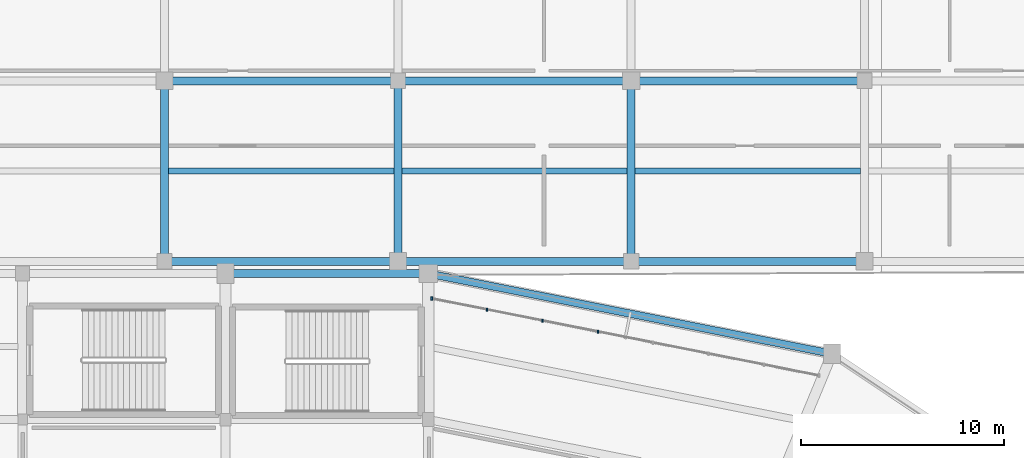
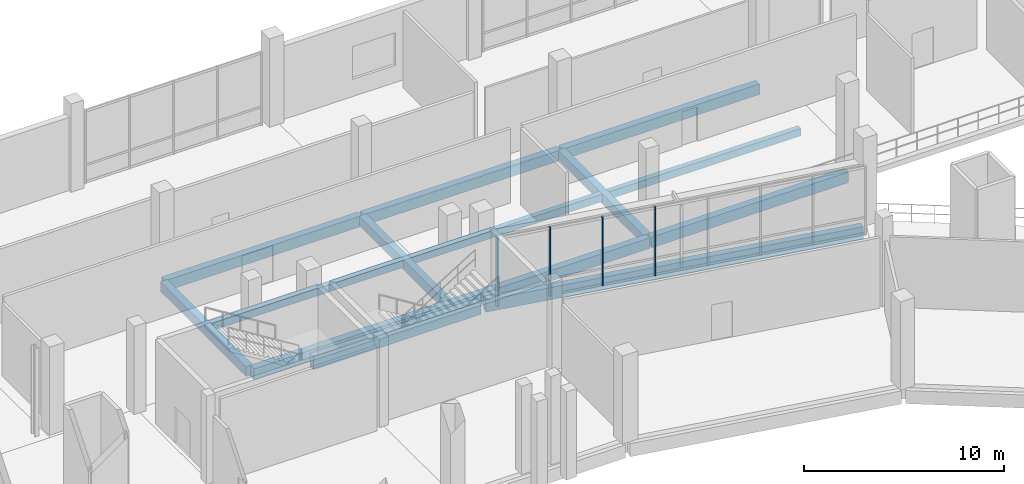
# One storey, part 56 of 114: 14 beams, 4 members, 1 element without a shape of its own.
"""IFC4 building model written with IfcOpenShell, lengths in metres."""

import ifcopenshell
import ifcopenshell.guid

model = None  # the IFC model being written
_history = None  # IfcOwnerHistory: only IFC2X3 demands one
_inside = {}  # id of a spatial element -> (the spatial element, [elements in it])
_under = {}  # id of a project, library or spatial element -> (it, [spatial elements below it])
_declared = {}  # id of a project -> (the project, [libraries it declares])
_typed = {}  # id of a type object -> (the type object, [elements of that type])
_made_of = {}  # id of a material, layer set ... -> (it, [elements and type objects made of it])


def new_model(schema):
    """Start an empty IFC model of exactly this schema.

    Asked for "IFC4X3", IfcOpenShell would pick the latest addendum, in which some entities
    have other attributes; the version numbers below select the first issue.
    IFC2X3 requires an IfcOwnerHistory on every rooted entity: one is made here for all.
    """
    global model, _history
    if schema == "IFC4X3":
        model = ifcopenshell.file(schema_version=(4, 3, 0, 0))
    else:
        model = ifcopenshell.file(schema=schema)
    _inside.clear()
    _under.clear()
    _declared.clear()
    _typed.clear()
    _made_of.clear()
    _history = None
    if model.schema == "IFC2X3":
        org = make("IfcOrganization", Name="unknown")
        user = make(
            "IfcPersonAndOrganization",
            ThePerson=make("IfcPerson", FamilyName="unknown"),
            TheOrganization=org,
        )
        app = make(
            "IfcApplication",
            ApplicationDeveloper=org,
            Version="unknown",
            ApplicationFullName="unknown",
            ApplicationIdentifier="unknown",
        )
        _history = make(
            "IfcOwnerHistory",
            OwningUser=user,
            OwningApplication=app,
            ChangeAction="ADDED",
            CreationDate=0,
        )
    return model


def make(cls, **values):
    """One entity of the class cls with the attributes given. An attribute that is None is left unset."""
    return model.create_entity(
        cls, **{name: value for name, value in values.items() if value is not None}
    )


def rooted(cls, **values):
    """An entity with a GlobalId (a new one), such as an element, a storey or a relation."""
    return make(cls, GlobalId=ifcopenshell.guid.new(), OwnerHistory=_history, **values)


def si_unit(unit_type, name, prefix=None):
    """IfcSIUnit, for example si_unit("LENGTHUNIT", "METRE", prefix="MILLI")."""
    return make("IfcSIUnit", UnitType=unit_type, Prefix=prefix, Name=name)


def assignment(units):
    """IfcUnitAssignment: the units of a project."""
    return None if units is None else make("IfcUnitAssignment", Units=units)


def point(xyz):
    """IfcCartesianPoint."""
    return None if xyz is None else make("IfcCartesianPoint", Coordinates=xyz)


def direction(xyz):
    """IfcDirection."""
    return None if xyz is None else make("IfcDirection", DirectionRatios=xyz)


def frame(location, z_axis=None, x_axis=None):
    """IfcAxis2Placement3D, a coordinate frame: its origin and axes. An axis left out is left unset."""
    return make(
        "IfcAxis2Placement3D",
        Location=point(location),
        Axis=direction(z_axis),
        RefDirection=direction(x_axis),
    )


def frame_2d(location, x_axis=None):
    """IfcAxis2Placement2D, a coordinate frame in the plane: its origin and x axis."""
    return make(
        "IfcAxis2Placement2D", Location=point(location), RefDirection=direction(x_axis)
    )


def origin():
    """The frame at (0, 0, 0) with its axes left unset."""
    return frame((0.0, 0.0, 0.0))


def origin_2d():
    """The frame at (0, 0) in the plane with its x axis left unset."""
    return frame_2d((0.0, 0.0))


def place(relative_to, where):
    """IfcLocalPlacement: puts the frame where relative to a parent placement (None: the world)."""
    return make(
        "IfcLocalPlacement", PlacementRelTo=relative_to, RelativePlacement=where
    )


def context(
    kind, dimensions, precision=None, world=None, true_north=None, identifier=None
):
    """IfcGeometricRepresentationContext, for example the 3D "Model" context."""
    return make(
        "IfcGeometricRepresentationContext",
        ContextIdentifier=identifier,
        ContextType=kind,
        CoordinateSpaceDimension=dimensions,
        Precision=precision,
        WorldCoordinateSystem=world,
        TrueNorth=true_north,
    )


def subcontext(parent, identifier, kind, view, scale=None):
    """IfcGeometricRepresentationSubContext, for example "Body" below "Model"."""
    return make(
        "IfcGeometricRepresentationSubContext",
        ContextIdentifier=identifier,
        ContextType=kind,
        ParentContext=parent,
        TargetScale=scale,
        TargetView=view,
    )


def project(units=None, contexts=None):
    """IfcProject with its units and contexts."""
    return rooted(
        "IfcProject",
        Name="project",
        RepresentationContexts=contexts,
        UnitsInContext=assignment(units),
    )


def spatial(cls, under=None, at=None, **own):
    """A site, building, storey or space (cls), placed at a placement, below another one or the project."""
    s = rooted(cls, ObjectPlacement=at, **own)
    if under is not None:
        _under.setdefault(under.id(), (under, []))[1].append(s)
    return s


def profile(cls, at=None, kind="AREA", **sizes):
    """A parametric profile (cls). Its sizes go by their IFC names, for example OverallWidth=200.0."""
    return make(cls, ProfileType=kind, Position=at, **sizes)


def rectangle(**sizes):
    """IfcRectangleProfileDef."""
    return profile("IfcRectangleProfileDef", **sizes)


def extrude(swept, where, along, depth):
    """IfcExtrudedAreaSolid: the profile swept, set in the frame where, extruded along a direction by depth."""
    return make(
        "IfcExtrudedAreaSolid",
        SweptArea=swept,
        Position=where,
        ExtrudedDirection=direction(along),
        Depth=depth,
    )


def shape(context_of_items, identifier, shape_type, items):
    """IfcShapeRepresentation: the items that make up one representation, for example the "Body"."""
    return make(
        "IfcShapeRepresentation",
        ContextOfItems=context_of_items,
        RepresentationIdentifier=identifier,
        RepresentationType=shape_type,
        Items=items,
    )


def material(Name=None, Category=None):
    """IfcMaterial."""
    return make("IfcMaterial", Name=Name, Category=Category)


def material_profile(
    of_material, cross_section, Name=None, Category=None, Priority=None
):
    """IfcMaterialProfile: a cross section and its material."""
    return make(
        "IfcMaterialProfile",
        Name=Name,
        Material=of_material,
        Profile=cross_section,
        Priority=Priority,
        Category=Category,
    )


def profile_set(profiles, Name=None, composite=None):
    """IfcMaterialProfileSet."""
    return make(
        "IfcMaterialProfileSet",
        Name=Name,
        MaterialProfiles=profiles,
        CompositeProfile=composite,
    )


def made_of(thing, what):
    """Note that an element or type object is made of a material, layer set ...; save() writes the relation."""
    if what is not None:
        _made_of.setdefault(what.id(), (what, []))[1].append(thing)
    return thing


def type_object(cls, material=None, **own):
    """A type object (cls), such as IfcWallType, which elements share."""
    return made_of(rooted(cls, **own), material)


def element(
    cls,
    number,
    at=None,
    inside=None,
    cuts=None,
    type_object=None,
    material=None,
    context=None,
    identifier="Body",
    shape_type=None,
    held_by="IfcProductDefinitionShape",
    body=None,
    shapes=None,
    **own,
):
    """One element of the class cls, such as IfcWall. Its Tag is "e" and its number.

    at: its placement. inside: the storey or other place that contains it. cuts: it is an
    opening in that element (IfcRelVoidsElement). A single representation is given by context,
    identifier, shape_type and body (its items); several are given by shapes. held_by: the class
    of the entity that holds the representations. save() writes the other relations.
    """
    e = rooted(cls, Tag="e%d" % number, ObjectPlacement=at, **own)
    if body is not None:
        shapes = [shape(context, identifier, shape_type, body)]
    if shapes is not None:
        e.Representation = make(held_by, Representations=shapes)
    if inside is not None:
        _inside.setdefault(inside.id(), (inside, []))[1].append(e)
    if cuts is not None:
        rooted(
            "IfcRelVoidsElement", RelatingBuildingElement=cuts, RelatedOpeningElement=e
        )
    if type_object is not None:
        _typed.setdefault(type_object.id(), (type_object, []))[1].append(e)
    return made_of(e, material)


def aggregate(whole, parts):
    """IfcRelAggregates: a whole, such as a stair, and the parts it consists of."""
    return rooted("IfcRelAggregates", RelatingObject=whole, RelatedObjects=parts)


def save(model, path):
    """Write the relations noted so far, then the file.

    IfcRelAggregates (storeys below a building ...), IfcRelContainedInSpatialStructure (elements
    in a storey), IfcRelDefinesByType, IfcRelAssociatesMaterial and IfcRelDeclares: one each for
    every whole, place, type object, material and project.
    """
    for whole, parts in _under.values():
        aggregate(whole, parts)
    for where, things in _inside.values():
        rooted(
            "IfcRelContainedInSpatialStructure",
            RelatedElements=things,
            RelatingStructure=where,
        )
    for kind, things in _typed.values():
        rooted("IfcRelDefinesByType", RelatedObjects=things, RelatingType=kind)
    for what, things in _made_of.values():
        rooted("IfcRelAssociatesMaterial", RelatedObjects=things, RelatingMaterial=what)
    for by, libraries in _declared.values():
        rooted("IfcRelDeclares", RelatingContext=by, RelatedDefinitions=libraries)
    model.write(path)


model = new_model("IFC4")

# Units and contexts
model_context = context("Model", 3, precision=1e-05, world=origin(), true_north=direction((0.0, 1.0)))
body_context = subcontext(model_context, "Body", "Model", "MODEL_VIEW")
ifc_project = project(units=[si_unit("LENGTHUNIT", "METRE"), si_unit("AREAUNIT", "SQUARE_METRE"), si_unit("VOLUMEUNIT", "CUBIC_METRE"), si_unit("PLANEANGLEUNIT", "RADIAN"), si_unit("MASSUNIT", "GRAM", prefix="KILO")], contexts=[model_context])

# Site, building, storey
site_placement = place(None, origin())
site = spatial("IfcSite", under=ifc_project, at=site_placement, CompositionType="ELEMENT")
building_placement = place(site_placement, origin())
building = spatial("IfcBuilding", under=site, at=building_placement, Name="Candeia Ridge Stadium", CompositionType="ELEMENT")
storey_placement = place(building_placement, frame((0.0, 0.0, 5.39990234375)))
storey = spatial("IfcBuildingStorey", under=building, at=storey_placement, Name="L01", CompositionType="ELEMENT", Elevation=5.39990234375)

# Curtain wall, members
ifc_material_1 = material(Name="Aluminium Anodized Warm Bronze", Category="aluminium")
curtain_wall_type = type_object("IfcCurtainWallType", Name="Concourse Recessed Unitised Curtain Wall", PredefinedType="NOTDEFINED", material=ifc_material_1)
curtain_wall_placement = place(storey_placement, origin())
curtain_wall = element("IfcCurtainWall", 1, at=curtain_wall_placement, inside=storey, type_object=curtain_wall_type, Name="Unitised curtain wall CW-BWL-L01-35", PredefinedType="NOTDEFINED")
ifc_material_profile_1 = material_profile(ifc_material_1, rectangle(XDim=0.090087890625, YDim=0.179931640625, at=origin_2d()), Name="CWM-90x180", Category="aluminium")
ifc_profile_set_1 = profile_set([ifc_material_profile_1], Name="Aluminium Anodized Warm Bronze")
member_type_1 = type_object("IfcMemberType", Name="Curtain Wall Primary Mullion 90x180", PredefinedType="MULLION", material=ifc_profile_set_1)
member_1_placement = place(storey_placement, frame((141.176513671875, 145.764892578125, 0.0), z_axis=(0.0, 0.0, 1.0), x_axis=(1.0, 0.0, 0.0)))
member_1 = element("IfcMember", 2, at=member_1_placement, type_object=member_type_1, Name="Curtain wall mullion CW-BWL-L01-35-M7", PredefinedType="MULLION", context=body_context, shape_type="SweptSolid", body=[
    extrude(rectangle(XDim=0.090087890625, YDim=0.179931640625, at=origin_2d()), origin(), (0.0, 0.0, 1.0), 4.205078125),
])
ifc_material_profile_2 = material_profile(ifc_material_1, rectangle(XDim=0.074951171875, YDim=0.14990234375, at=origin_2d()), Name="CWM-75x150", Category="aluminium")
ifc_profile_set_2 = profile_set([ifc_material_profile_2], Name="Aluminium Anodized Warm Bronze")
member_type_2 = type_object("IfcMemberType", Name="Curtain Wall Secondary Mullion 75x150", PredefinedType="MULLION", material=ifc_profile_set_2)
member_2_placement = place(storey_placement, frame((149.356689453125, 144.1376953125, 0.0), z_axis=(0.0, 0.0, 1.0), x_axis=(1.0, 0.0, 0.0)))
member_2 = element("IfcMember", 3, at=member_2_placement, type_object=member_type_2, Name="Curtain wall mullion CW-BWL-L01-35-M4", PredefinedType="MULLION", context=body_context, shape_type="SweptSolid", body=[
    extrude(rectangle(XDim=0.074951171875, YDim=0.14990234375, at=origin_2d()), origin(), (0.0, 0.0, 1.0), 4.205078125),
])
member_3_placement = place(storey_placement, frame((146.6298828125, 144.68017578125, 0.0), z_axis=(0.0, 0.0, 1.0), x_axis=(1.0, 0.0, 0.0)))
member_3 = element("IfcMember", 4, at=member_3_placement, type_object=member_type_2, Name="Curtain wall mullion CW-BWL-L01-35-M5", PredefinedType="MULLION", context=body_context, shape_type="SweptSolid", body=[
    extrude(rectangle(XDim=0.074951171875, YDim=0.14990234375, at=origin_2d()), origin(), (0.0, 0.0, 1.0), 4.205078125),
])
member_4_placement = place(storey_placement, frame((143.9033203125, 145.222412109375, 0.0), z_axis=(0.0, 0.0, 1.0), x_axis=(1.0, 0.0, 0.0)))
member_4 = element("IfcMember", 5, at=member_4_placement, type_object=member_type_2, Name="Curtain wall mullion CW-BWL-L01-35-M6", PredefinedType="MULLION", context=body_context, shape_type="SweptSolid", body=[
    extrude(rectangle(XDim=0.074951171875, YDim=0.14990234375, at=origin_2d()), origin(), (0.0, 0.0, 1.0), 4.205078125),
])
aggregate(curtain_wall, [member_2, member_3, member_4, member_1])

# Beams
ifc_material_2 = material(Name="Concrete C40/50", Category="concrete")
ifc_material_profile_3 = material_profile(ifc_material_2, rectangle(XDim=0.300048828125, YDim=0.449951171875, at=origin_2d()), Name="RC300x450", Category="concrete")
ifc_profile_set_3 = profile_set([ifc_material_profile_3], Name="Concrete C40/50")
beam_type_1 = type_object("IfcBeamType", Name="Floor Joist RC300x450", PredefinedType="JOIST", material=ifc_profile_set_3)
for number, where, z_axis, x_axis, name in (
    (6, (128.199462890625, 152.050048828125, -0.48486328125), (1.0, 0.0, 0.0), (0.0, 1.0, 0.0), "Wing secondary joist BM-L01-1590"),
    (7, (139.699462890625, 152.050048828125, -0.48486328125), (1.0, 0.0, 0.0), (0.0, 1.0, 0.0), "Wing secondary joist BM-L01-1595"),
    (8, (151.199462890625, 152.050048828125, -0.48486328125), (1.0, 0.0, 0.0), (0.0, 1.0, 0.0), "Wing secondary joist BM-L01-1600"),
):
    element("IfcBeam", number, at=place(storey_placement, frame(where, z_axis=z_axis, x_axis=x_axis)), inside=storey, type_object=beam_type_1, Name=name, PredefinedType="JOIST", context=body_context, shape_type="SweptSolid", body=[
        extrude(rectangle(XDim=0.300048828125, YDim=0.449951171875, at=origin_2d()), origin(), (0.0, 0.0, 1.0), 11.10107421875),
    ])
ifc_material_profile_4 = material_profile(ifc_material_2, rectangle(XDim=0.39990234375, YDim=0.60009765625, at=origin_2d()), Name="RC400x600", Category="concrete")
ifc_profile_set_4 = profile_set([ifc_material_profile_4], Name="Concrete C40/50")
beam_type_2 = type_object("IfcBeamType", Name="Frame Girder RC400x600", PredefinedType="BEAM", material=ifc_profile_set_4)
for number, where, z_axis, x_axis, name in (
    (9, (128.0, 147.760009765625, -0.559814453125), (0.0, 1.0, 0.0), (-1.0, 0.0, 0.0), "Structural girder BM-L01-1572"),
    (10, (139.5, 147.760009765625, -0.559814453125), (0.0, 1.0, 0.0), (-1.0, 0.0, 0.0), "Structural girder BM-L01-1574"),
    (11, (151.0, 147.760009765625, -0.559814453125), (0.0, 1.0, 0.0), (-1.0, 0.0, 0.0), "Structural girder BM-L01-1576"),
):
    element("IfcBeam", number, at=place(storey_placement, frame(where, z_axis=z_axis, x_axis=x_axis)), inside=storey, type_object=beam_type_2, Name=name, PredefinedType="BEAM", context=body_context, shape_type="SweptSolid", body=[
        extrude(rectangle(XDim=0.39990234375, YDim=0.60009765625, at=origin_2d()), origin(), (0.0, 0.0, 1.0), 8.580078125),
    ])
ifc_material_3 = material(Name="Concrete C45/55", Category="concrete")
ifc_material_profile_5 = material_profile(ifc_material_3, rectangle(XDim=0.3701171875, YDim=0.739990234375, at=origin_2d()), Name="RC370x740", Category="concrete")
ifc_profile_set_5 = profile_set([ifc_material_profile_5], Name="Concrete C45/55")
beam_type_3 = type_object("IfcBeamType", Name="Spandrel Beam RC370x740", PredefinedType="SPANDREL", material=ifc_profile_set_5)
beam_1_placement = place(storey_placement, frame((160.74267578125, 143.072998046875, -0.6298828125), z_axis=(-0.980786091775, 0.195086242929, 0.0), x_axis=(-0.195086242929, -0.980786091775, 0.0)))
element("IfcBeam", 12, at=beam_1_placement, inside=storey, type_object=beam_type_3, Name="Bowl perimeter spandrel BM-L01-0238", PredefinedType="SPANDREL", context=body_context, shape_type="SweptSolid", body=[
    extrude(rectangle(XDim=0.3701171875, YDim=0.739990234375, at=origin_2d()), origin(), (0.0, 0.0, 1.0), 19.969482421875),
])
ifc_material_profile_6 = material_profile(ifc_material_3, rectangle(XDim=0.3798828125, YDim=0.780029296875, at=origin_2d()), Name="RC380x780", Category="concrete")
ifc_profile_set_6 = profile_set([ifc_material_profile_6], Name="Concrete C45/55")
beam_type_4 = type_object("IfcBeamType", Name="Spandrel Beam RC380x780", PredefinedType="SPANDREL", material=ifc_profile_set_6)
beam_2_placement = place(storey_placement, frame((140.840087890625, 147.0, -0.64990234375), z_axis=(-1.0, 0.0, 0.0), x_axis=(0.0, -1.0, 0.0)))
element("IfcBeam", 13, at=beam_2_placement, inside=storey, type_object=beam_type_4, Name="Bowl perimeter spandrel BM-L01-0075", PredefinedType="SPANDREL", context=body_context, shape_type="SweptSolid", body=[
    extrude(rectangle(XDim=0.3798828125, YDim=0.780029296875, at=origin_2d()), origin(), (0.0, 0.0, 1.0), 9.68017578125),
])
ifc_material_profile_7 = material_profile(ifc_material_2, rectangle(XDim=0.39990234375, YDim=0.64990234375, at=origin_2d()), Name="RC400x650", Category="concrete")
ifc_profile_set_7 = profile_set([ifc_material_profile_7], Name="Concrete C40/50")
beam_type_5 = type_object("IfcBeamType", Name="Wing Primary Girder RC400x650", PredefinedType="BEAM", material=ifc_profile_set_7)
for number, where, z_axis, x_axis, name in (
    (14, (128.050048828125, 147.60009765625, -0.5849609375), (1.0, 0.0, 0.0), (0.0, 1.0, 0.0), "Structural girder BM-L01-1589"),
    (15, (128.050048828125, 156.5, -0.5849609375), (1.0, 0.0, 0.0), (0.0, 1.0, 0.0), "Structural girder BM-L01-1591"),
    (16, (139.550048828125, 147.60009765625, -0.5849609375), (1.0, 0.0, 0.0), (0.0, 1.0, 0.0), "Structural girder BM-L01-1594"),
    (17, (139.550048828125, 156.5, -0.5849609375), (1.0, 0.0, 0.0), (0.0, 1.0, 0.0), "Structural girder BM-L01-1596"),
    (18, (151.050048828125, 147.60009765625, -0.5849609375), (1.0, 0.0, 0.0), (0.0, 1.0, 0.0), "Structural girder BM-L01-1599"),
    (19, (151.050048828125, 156.5, -0.5849609375), (1.0, 0.0, 0.0), (0.0, 1.0, 0.0), "Structural girder BM-L01-1601"),
):
    element("IfcBeam", number, at=place(storey_placement, frame(where, z_axis=z_axis, x_axis=x_axis)), inside=storey, type_object=beam_type_5, Name=name, PredefinedType="BEAM", context=body_context, shape_type="SweptSolid", body=[
        extrude(rectangle(XDim=0.39990234375, YDim=0.64990234375, at=origin_2d()), origin(), (0.0, 0.0, 1.0), 11.39990234375),
    ])

save(model, "model.ifc")
